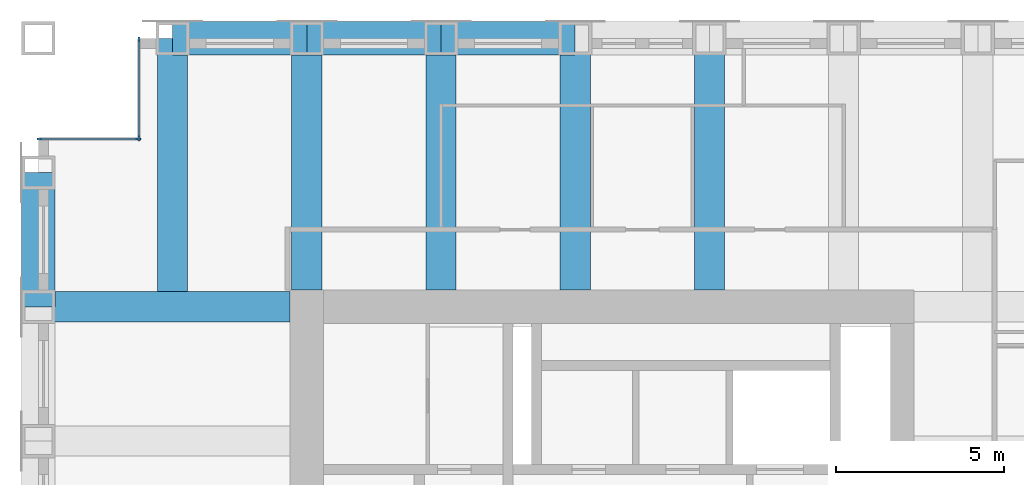
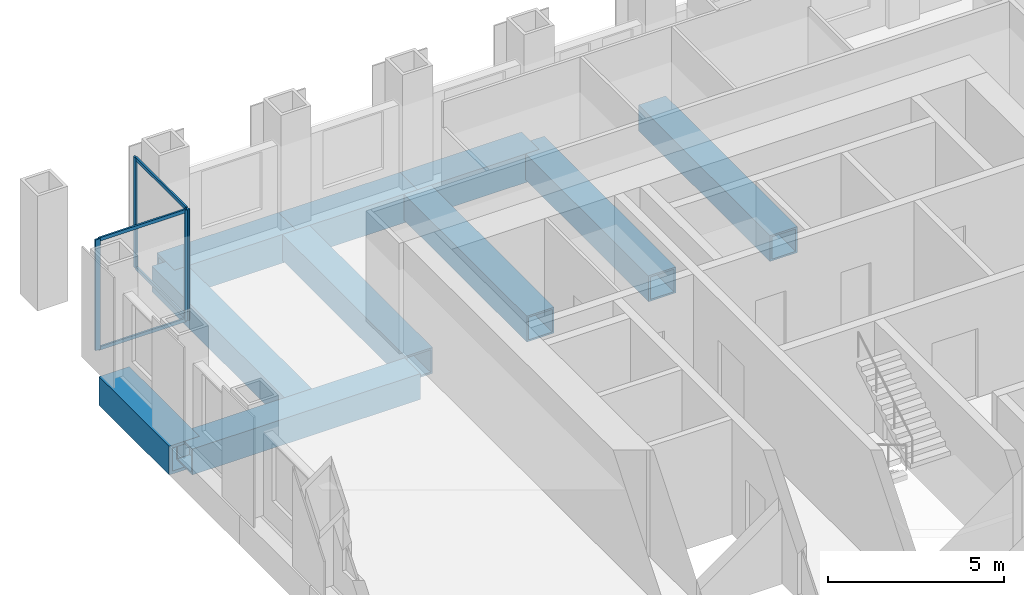
# One storey, part 5 of 11: 10 beams, 8 members, 2 elements without a shape of their own.
"""IFC4 building model written with IfcOpenShell, lengths in metres."""

from ifc_helpers import new_model, si_unit, direction, frame, origin, origin_2d, place, context, subcontext, project, spatial, rectangle, hollow_rectangle, extrude, material, material_profile, profile_set, type_object, element, aggregate, save


model = new_model("IFC4")

# Units and contexts
model_context = context("Model", 3, precision=1e-05, world=origin(), true_north=direction((0.0, 1.0)))
body_context = subcontext(model_context, "Body", "Model", "MODEL_VIEW")
ifc_project = project(units=[si_unit("LENGTHUNIT", "METRE"), si_unit("AREAUNIT", "SQUARE_METRE"), si_unit("VOLUMEUNIT", "CUBIC_METRE"), si_unit("PLANEANGLEUNIT", "RADIAN"), si_unit("MASSUNIT", "GRAM", prefix="KILO")], contexts=[model_context])

# Site, building, storey
site_placement = place(None, origin())
site = spatial("IfcSite", under=ifc_project, at=site_placement, CompositionType="ELEMENT")
building_placement = place(site_placement, origin())
building = spatial("IfcBuilding", under=site, at=building_placement, Name="Rimbunsela Tower", CompositionType="ELEMENT")
storey_placement = place(building_placement, frame((0.0, 0.0, 250.199951171875)))
storey = spatial("IfcBuildingStorey", under=building, at=storey_placement, Name="L60", CompositionType="ELEMENT", Elevation=250.199951171875)

# Beams
ifc_material_1 = material(Name="Steel BJ 55 (fy 410 MPa)", Category="steel")
ifc_material_profile_1 = material_profile(ifc_material_1, hollow_rectangle(XDim=1.0, YDim=1.0, WallThickness=0.10009765625, at=origin_2d()), Name="BOX 1000x1000x100")
ifc_profile_set_1 = profile_set([ifc_material_profile_1], Name="Steel BJ 55 (fy 410 MPa)")
beam_type_1 = type_object("IfcBeamType", Name="Beam BOX 1000x1000x100", PredefinedType="BEAM", material=ifc_profile_set_1)
for number, where, z_axis, x_axis, name in (
    (1, (10.0, 36.0, -0.64990234375), (0.0, 1.0, 0.0), (-1.0, 0.0, 0.0), "Beam B3 L60"),
    (2, (14.0, 44.0, -0.64990234375), (1.0, 0.0, 0.0), (0.0, 1.0, 0.0), "Beam B3 L60"),
    (3, (18.0, 44.0, -0.64990234375), (1.0, 0.0, 0.0), (0.0, 1.0, 0.0), "Beam B3 L60"),
    (4, (22.0, 44.0, -0.64990234375), (1.0, 0.0, 0.0), (0.0, 1.0, 0.0), "Beam B3 L60"),
):
    element("IfcBeam", number, at=place(storey_placement, frame(where, z_axis=z_axis, x_axis=x_axis)), inside=storey, type_object=beam_type_1, Name=name, PredefinedType="BEAM", context=body_context, shape_type="SweptSolid", body=[
        extrude(hollow_rectangle(XDim=1.0, YDim=1.0, WallThickness=0.10009765625, at=origin_2d()), origin(), (0.0, 0.0, 1.0), 4.0),
    ])
ifc_material_2 = material(Name="Steel BJ 55 (fy 410 MPa)", Category="steel")
ifc_material_profile_2 = material_profile(ifc_material_2, hollow_rectangle(XDim=0.89990234375, YDim=0.89990234375, WallThickness=0.06005859375, at=origin_2d()), Name="BOX 900x900x60")
ifc_profile_set_2 = profile_set([ifc_material_profile_2], Name="Steel BJ 55 (fy 410 MPa)")
beam_type_2 = type_object("IfcBeamType", Name="Beam BOX 900x900x60", PredefinedType="BEAM", material=ifc_profile_set_2)
beam_1_placement = place(storey_placement, frame((10.0, 36.0, -0.599853515625), z_axis=(1.0, 0.0, 0.0), x_axis=(0.0, 1.0, 0.0)))
element("IfcBeam", 5, at=beam_1_placement, inside=storey, type_object=beam_type_2, Name="Beam B1 L60", PredefinedType="BEAM", context=body_context, shape_type="SweptSolid", body=[
    extrude(hollow_rectangle(XDim=0.89990234375, YDim=0.89990234375, WallThickness=0.06005859375, at=origin_2d()), origin(), (0.0, 0.0, 1.0), 7.5),
])
beam_2_placement = place(storey_placement, frame((14.0, 36.449951171875, -0.599853515625), z_axis=(0.0, 1.0, 0.0), x_axis=(-1.0, 0.0, 0.0)))
element("IfcBeam", 6, at=beam_2_placement, inside=storey, type_object=beam_type_2, Name="Beam B1 L60", PredefinedType="BEAM", context=body_context, shape_type="SweptSolid", body=[
    extrude(hollow_rectangle(XDim=0.89990234375, YDim=0.89990234375, WallThickness=0.06005859375, at=origin_2d()), origin(), (0.0, 0.0, 1.0), 7.550048828125),
])
for number, where, z_axis, x_axis, name in (
    (7, (18.0, 36.5, -0.599853515625), (0.0, 1.0, 0.0), (-1.0, 0.0, 0.0), "Beam B1 L60"),
    (8, (22.0, 36.5, -0.599853515625), (0.0, 1.0, 0.0), (-1.0, 0.0, 0.0), "Beam B1 L60"),
    (9, (26.0, 36.5, -0.599853515625), (0.0, 1.0, 0.0), (-1.0, 0.0, 0.0), "Beam B1 L60"),
    (10, (30.0, 36.5, -0.599853515625), (0.0, 1.0, 0.0), (-1.0, 0.0, 0.0), "Beam B1 L60"),
):
    element("IfcBeam", number, at=place(storey_placement, frame(where, z_axis=z_axis, x_axis=x_axis)), inside=storey, type_object=beam_type_2, Name=name, PredefinedType="BEAM", context=body_context, shape_type="SweptSolid", body=[
        extrude(hollow_rectangle(XDim=0.89990234375, YDim=0.89990234375, WallThickness=0.06005859375, at=origin_2d()), origin(), (0.0, 0.0, 1.0), 7.5),
    ])

# Curtain wall, members
ifc_material_3 = material(Name="Aluminium curtain wall", Category="aluminium")
curtain_wall_type = type_object("IfcCurtainWallType", Name="Corner glazing", PredefinedType="USERDEFINED", material=ifc_material_3)
curtain_wall_1_placement = place(storey_placement, origin())
curtain_wall_1 = element("IfcCurtainWall", 11, at=curtain_wall_1_placement, inside=storey, type_object=curtain_wall_type, Name="Corner glazing L60", ObjectType="CORNER GLAZING", PredefinedType="USERDEFINED")
ifc_material_4 = material(Name="Aluminium mullion", Category="aluminium")
ifc_material_profile_3 = material_profile(ifc_material_4, rectangle(XDim=0.06005859375, YDim=0.159912109375, at=origin_2d()), Name="Mullion 60x160")
ifc_profile_set_3 = profile_set([ifc_material_profile_3], Name="Aluminium mullion")
member_type_1 = type_object("IfcMemberType", Name="Curtain wall mullion 60x160", PredefinedType="MULLION", material=ifc_profile_set_3)
member_1_placement = place(storey_placement, frame((13.0, 43.969970703125, 0.0), z_axis=(0.0, 0.0, 1.0), x_axis=(1.0, 0.0, 0.0)))
member_1 = element("IfcMember", 12, at=member_1_placement, type_object=member_type_1, Name="CW5 mullion 1", PredefinedType="MULLION", context=body_context, shape_type="SweptSolid", body=[
    extrude(rectangle(XDim=0.06005859375, YDim=0.159912109375, at=origin_2d()), origin(), (0.0, 0.0, 1.0), 3.85009765625),
])
member_2_placement = place(storey_placement, frame((13.0, 41.030029296875, 0.0), z_axis=(0.0, 0.0, 1.0), x_axis=(1.0, 0.0, 0.0)))
member_2 = element("IfcMember", 13, at=member_2_placement, type_object=member_type_1, Name="CW5 mullion 2", PredefinedType="MULLION", context=body_context, shape_type="SweptSolid", body=[
    extrude(rectangle(XDim=0.06005859375, YDim=0.159912109375, at=origin_2d()), origin(), (0.0, 0.0, 1.0), 3.85009765625),
])

curtain_wall_2_placement = place(storey_placement, origin())
curtain_wall_2 = element("IfcCurtainWall", 14, at=curtain_wall_2_placement, inside=storey, type_object=curtain_wall_type, Name="Corner glazing L60", ObjectType="CORNER GLAZING", PredefinedType="USERDEFINED")
member_3_placement = place(storey_placement, frame((12.969970703125, 41.0, 0.0), z_axis=(0.0, 0.0, 1.0), x_axis=(0.0, -1.0, 0.0)))
member_3 = element("IfcMember", 15, at=member_3_placement, type_object=member_type_1, Name="CW5 mullion 1", PredefinedType="MULLION", context=body_context, shape_type="SweptSolid", body=[
    extrude(rectangle(XDim=0.06005859375, YDim=0.159912109375, at=origin_2d()), origin(), (0.0, 0.0, 1.0), 3.85009765625),
])
member_4_placement = place(storey_placement, frame((10.030029296875, 41.0, 0.0), z_axis=(0.0, 0.0, 1.0), x_axis=(0.0, -1.0, 0.0)))
member_4 = element("IfcMember", 16, at=member_4_placement, type_object=member_type_1, Name="CW5 mullion 2", PredefinedType="MULLION", context=body_context, shape_type="SweptSolid", body=[
    extrude(rectangle(XDim=0.06005859375, YDim=0.159912109375, at=origin_2d()), origin(), (0.0, 0.0, 1.0), 3.85009765625),
])

# Member
ifc_material_5 = material(Name="Aluminium transom", Category="aluminium")
ifc_material_profile_4 = material_profile(ifc_material_5, rectangle(XDim=0.06005859375, YDim=0.1201171875, at=origin_2d()), Name="Transom 60x120")
ifc_profile_set_4 = profile_set([ifc_material_profile_4], Name="Aluminium transom")
member_type_2 = type_object("IfcMemberType", Name="Curtain wall transom 60x120", PredefinedType="USERDEFINED", material=ifc_profile_set_4)
member_5_placement = place(storey_placement, frame((13.0, 43.93994140625, 0.030029296875), z_axis=(0.0, -1.0, 0.0), x_axis=(1.0, 0.0, 0.0)))
member_5 = element("IfcMember", 17, at=member_5_placement, type_object=member_type_2, Name="CW5 transom 1.1", ObjectType="TRANSOM", PredefinedType="USERDEFINED", context=body_context, shape_type="SweptSolid", body=[
    extrude(rectangle(XDim=0.06005859375, YDim=0.1201171875, at=origin_2d()), origin(), (0.0, 0.0, 1.0), 2.8798828125),
])

member_6_placement = place(storey_placement, frame((13.0, 43.93994140625, 3.820068359375), z_axis=(0.0, -1.0, 0.0), x_axis=(1.0, 0.0, 0.0)))
member_6 = element("IfcMember", 18, at=member_6_placement, type_object=member_type_2, Name="CW5 transom 1.2", ObjectType="TRANSOM", PredefinedType="USERDEFINED", context=body_context, shape_type="SweptSolid", body=[
    extrude(rectangle(XDim=0.06005859375, YDim=0.1201171875, at=origin_2d()), origin(), (0.0, 0.0, 1.0), 2.8798828125),
])

aggregate(curtain_wall_1, [member_1, member_2, member_5, member_6])

member_7_placement = place(storey_placement, frame((12.93994140625, 41.0, 0.030029296875), z_axis=(-1.0, 0.0, 0.0), x_axis=(0.0, -1.0, 0.0)))
member_7 = element("IfcMember", 19, at=member_7_placement, type_object=member_type_2, Name="CW5 transom 1.1", ObjectType="TRANSOM", PredefinedType="USERDEFINED", context=body_context, shape_type="SweptSolid", body=[
    extrude(rectangle(XDim=0.06005859375, YDim=0.1201171875, at=origin_2d()), origin(), (0.0, 0.0, 1.0), 2.8798828125),
])

member_8_placement = place(storey_placement, frame((12.93994140625, 41.0, 3.820068359375), z_axis=(-1.0, 0.0, 0.0), x_axis=(0.0, -1.0, 0.0)))
member_8 = element("IfcMember", 20, at=member_8_placement, type_object=member_type_2, Name="CW5 transom 1.2", ObjectType="TRANSOM", PredefinedType="USERDEFINED", context=body_context, shape_type="SweptSolid", body=[
    extrude(rectangle(XDim=0.06005859375, YDim=0.1201171875, at=origin_2d()), origin(), (0.0, 0.0, 1.0), 2.8798828125),
])

aggregate(curtain_wall_2, [member_3, member_4, member_7, member_8])

save(model, "model.ifc")
